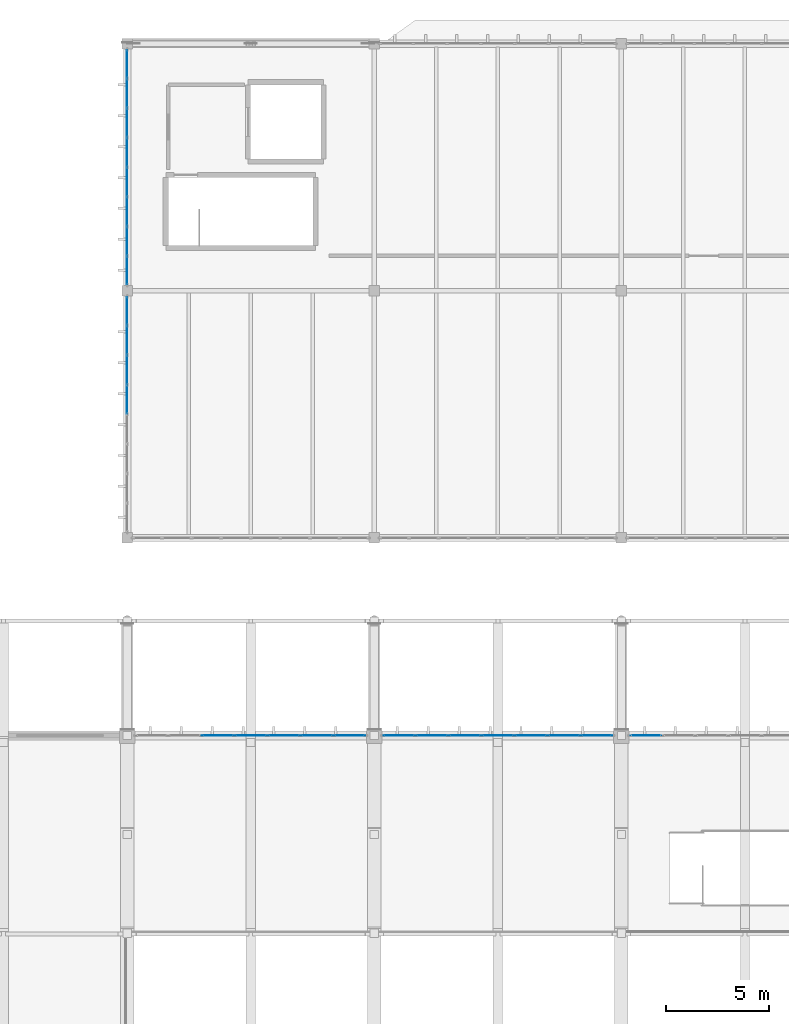
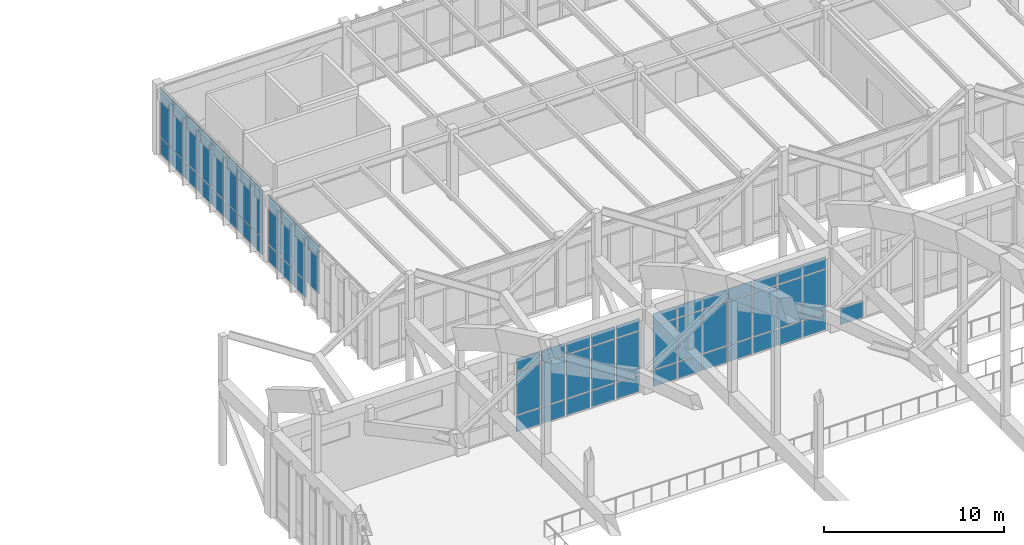
# One storey, part 194 of 236: 72 plates, 5 elements without a shape of their own.
"""IFC4 building model written with IfcOpenShell, lengths in metres."""

import ifcopenshell
import ifcopenshell.guid

model = None  # the IFC model being written
_history = None  # IfcOwnerHistory: only IFC2X3 demands one
_inside = {}  # id of a spatial element -> (the spatial element, [elements in it])
_under = {}  # id of a project, library or spatial element -> (it, [spatial elements below it])
_declared = {}  # id of a project -> (the project, [libraries it declares])
_typed = {}  # id of a type object -> (the type object, [elements of that type])
_made_of = {}  # id of a material, layer set ... -> (it, [elements and type objects made of it])


def new_model(schema):
    """Start an empty IFC model of exactly this schema.

    Asked for "IFC4X3", IfcOpenShell would pick the latest addendum, in which some entities
    have other attributes; the version numbers below select the first issue.
    IFC2X3 requires an IfcOwnerHistory on every rooted entity: one is made here for all.
    """
    global model, _history
    if schema == "IFC4X3":
        model = ifcopenshell.file(schema_version=(4, 3, 0, 0))
    else:
        model = ifcopenshell.file(schema=schema)
    _inside.clear()
    _under.clear()
    _declared.clear()
    _typed.clear()
    _made_of.clear()
    _history = None
    if model.schema == "IFC2X3":
        org = make("IfcOrganization", Name="unknown")
        user = make(
            "IfcPersonAndOrganization",
            ThePerson=make("IfcPerson", FamilyName="unknown"),
            TheOrganization=org,
        )
        app = make(
            "IfcApplication",
            ApplicationDeveloper=org,
            Version="unknown",
            ApplicationFullName="unknown",
            ApplicationIdentifier="unknown",
        )
        _history = make(
            "IfcOwnerHistory",
            OwningUser=user,
            OwningApplication=app,
            ChangeAction="ADDED",
            CreationDate=0,
        )
    return model


def make(cls, **values):
    """One entity of the class cls with the attributes given. An attribute that is None is left unset."""
    return model.create_entity(
        cls, **{name: value for name, value in values.items() if value is not None}
    )


def rooted(cls, **values):
    """An entity with a GlobalId (a new one), such as an element, a storey or a relation."""
    return make(cls, GlobalId=ifcopenshell.guid.new(), OwnerHistory=_history, **values)


def si_unit(unit_type, name, prefix=None):
    """IfcSIUnit, for example si_unit("LENGTHUNIT", "METRE", prefix="MILLI")."""
    return make("IfcSIUnit", UnitType=unit_type, Prefix=prefix, Name=name)


def assignment(units):
    """IfcUnitAssignment: the units of a project."""
    return None if units is None else make("IfcUnitAssignment", Units=units)


def point(xyz):
    """IfcCartesianPoint."""
    return None if xyz is None else make("IfcCartesianPoint", Coordinates=xyz)


def direction(xyz):
    """IfcDirection."""
    return None if xyz is None else make("IfcDirection", DirectionRatios=xyz)


def frame(location, z_axis=None, x_axis=None):
    """IfcAxis2Placement3D, a coordinate frame: its origin and axes. An axis left out is left unset."""
    return make(
        "IfcAxis2Placement3D",
        Location=point(location),
        Axis=direction(z_axis),
        RefDirection=direction(x_axis),
    )


def frame_2d(location, x_axis=None):
    """IfcAxis2Placement2D, a coordinate frame in the plane: its origin and x axis."""
    return make(
        "IfcAxis2Placement2D", Location=point(location), RefDirection=direction(x_axis)
    )


def origin():
    """The frame at (0, 0, 0) with its axes left unset."""
    return frame((0.0, 0.0, 0.0))


def origin_2d():
    """The frame at (0, 0) in the plane with its x axis left unset."""
    return frame_2d((0.0, 0.0))


def place(relative_to, where):
    """IfcLocalPlacement: puts the frame where relative to a parent placement (None: the world)."""
    return make(
        "IfcLocalPlacement", PlacementRelTo=relative_to, RelativePlacement=where
    )


def context(
    kind, dimensions, precision=None, world=None, true_north=None, identifier=None
):
    """IfcGeometricRepresentationContext, for example the 3D "Model" context."""
    return make(
        "IfcGeometricRepresentationContext",
        ContextIdentifier=identifier,
        ContextType=kind,
        CoordinateSpaceDimension=dimensions,
        Precision=precision,
        WorldCoordinateSystem=world,
        TrueNorth=true_north,
    )


def subcontext(parent, identifier, kind, view, scale=None):
    """IfcGeometricRepresentationSubContext, for example "Body" below "Model"."""
    return make(
        "IfcGeometricRepresentationSubContext",
        ContextIdentifier=identifier,
        ContextType=kind,
        ParentContext=parent,
        TargetScale=scale,
        TargetView=view,
    )


def project(units=None, contexts=None):
    """IfcProject with its units and contexts."""
    return rooted(
        "IfcProject",
        Name="project",
        RepresentationContexts=contexts,
        UnitsInContext=assignment(units),
    )


def spatial(cls, under=None, at=None, **own):
    """A site, building, storey or space (cls), placed at a placement, below another one or the project."""
    s = rooted(cls, ObjectPlacement=at, **own)
    if under is not None:
        _under.setdefault(under.id(), (under, []))[1].append(s)
    return s


def profile(cls, at=None, kind="AREA", **sizes):
    """A parametric profile (cls). Its sizes go by their IFC names, for example OverallWidth=200.0."""
    return make(cls, ProfileType=kind, Position=at, **sizes)


def rectangle(**sizes):
    """IfcRectangleProfileDef."""
    return profile("IfcRectangleProfileDef", **sizes)


def extrude(swept, where, along, depth):
    """IfcExtrudedAreaSolid: the profile swept, set in the frame where, extruded along a direction by depth."""
    return make(
        "IfcExtrudedAreaSolid",
        SweptArea=swept,
        Position=where,
        ExtrudedDirection=direction(along),
        Depth=depth,
    )


def shape(context_of_items, identifier, shape_type, items):
    """IfcShapeRepresentation: the items that make up one representation, for example the "Body"."""
    return make(
        "IfcShapeRepresentation",
        ContextOfItems=context_of_items,
        RepresentationIdentifier=identifier,
        RepresentationType=shape_type,
        Items=items,
    )


def material(Name=None, Category=None):
    """IfcMaterial."""
    return make("IfcMaterial", Name=Name, Category=Category)


def layer(
    of_material, thickness, ventilated=None, Name=None, Category=None, Priority=None
):
    """IfcMaterialLayer: one layer of a wall or slab, of a material (None: an air gap)."""
    return make(
        "IfcMaterialLayer",
        Material=of_material,
        LayerThickness=thickness,
        IsVentilated=ventilated,
        Name=Name,
        Category=Category,
        Priority=Priority,
    )


def layer_set(layers, Name=None):
    """IfcMaterialLayerSet."""
    return make("IfcMaterialLayerSet", MaterialLayers=layers, LayerSetName=Name)


def made_of(thing, what):
    """Note that an element or type object is made of a material, layer set ...; save() writes the relation."""
    if what is not None:
        _made_of.setdefault(what.id(), (what, []))[1].append(thing)
    return thing


def type_object(cls, material=None, **own):
    """A type object (cls), such as IfcWallType, which elements share."""
    return made_of(rooted(cls, **own), material)


def element(
    cls,
    number,
    at=None,
    inside=None,
    cuts=None,
    type_object=None,
    material=None,
    context=None,
    identifier="Body",
    shape_type=None,
    held_by="IfcProductDefinitionShape",
    body=None,
    shapes=None,
    **own,
):
    """One element of the class cls, such as IfcWall. Its Tag is "e" and its number.

    at: its placement. inside: the storey or other place that contains it. cuts: it is an
    opening in that element (IfcRelVoidsElement). A single representation is given by context,
    identifier, shape_type and body (its items); several are given by shapes. held_by: the class
    of the entity that holds the representations. save() writes the other relations.
    """
    e = rooted(cls, Tag="e%d" % number, ObjectPlacement=at, **own)
    if body is not None:
        shapes = [shape(context, identifier, shape_type, body)]
    if shapes is not None:
        e.Representation = make(held_by, Representations=shapes)
    if inside is not None:
        _inside.setdefault(inside.id(), (inside, []))[1].append(e)
    if cuts is not None:
        rooted(
            "IfcRelVoidsElement", RelatingBuildingElement=cuts, RelatedOpeningElement=e
        )
    if type_object is not None:
        _typed.setdefault(type_object.id(), (type_object, []))[1].append(e)
    return made_of(e, material)


def aggregate(whole, parts):
    """IfcRelAggregates: a whole, such as a stair, and the parts it consists of."""
    return rooted("IfcRelAggregates", RelatingObject=whole, RelatedObjects=parts)


def save(model, path):
    """Write the relations noted so far, then the file.

    IfcRelAggregates (storeys below a building ...), IfcRelContainedInSpatialStructure (elements
    in a storey), IfcRelDefinesByType, IfcRelAssociatesMaterial and IfcRelDeclares: one each for
    every whole, place, type object, material and project.
    """
    for whole, parts in _under.values():
        aggregate(whole, parts)
    for where, things in _inside.values():
        rooted(
            "IfcRelContainedInSpatialStructure",
            RelatedElements=things,
            RelatingStructure=where,
        )
    for kind, things in _typed.values():
        rooted("IfcRelDefinesByType", RelatedObjects=things, RelatingType=kind)
    for what, things in _made_of.values():
        rooted("IfcRelAssociatesMaterial", RelatedObjects=things, RelatingMaterial=what)
    for by, libraries in _declared.values():
        rooted("IfcRelDeclares", RelatingContext=by, RelatedDefinitions=libraries)
    model.write(path)


model = new_model("IFC4")

# Units and contexts
model_context = context("Model", 3, precision=1e-05, world=origin(), true_north=direction((0.0, 1.0)))
body_context = subcontext(model_context, "Body", "Model", "MODEL_VIEW")
ifc_project = project(units=[si_unit("LENGTHUNIT", "METRE"), si_unit("AREAUNIT", "SQUARE_METRE"), si_unit("VOLUMEUNIT", "CUBIC_METRE"), si_unit("PLANEANGLEUNIT", "RADIAN"), si_unit("MASSUNIT", "GRAM", prefix="KILO")], contexts=[model_context])

# Site, building, storey
site_placement = place(None, origin())
site = spatial("IfcSite", under=ifc_project, at=site_placement, CompositionType="ELEMENT")
building_placement = place(site_placement, origin())
building = spatial("IfcBuilding", under=site, at=building_placement, Name="Pandanus Reach Market Hall", CompositionType="ELEMENT")
storey_placement = place(building_placement, frame((0.0, 0.0, 5.39990234375)))
storey = spatial("IfcBuildingStorey", under=building, at=storey_placement, Name="L01", CompositionType="ELEMENT", Elevation=5.39990234375)

# Curtain wall, plates
ifc_material_1 = material(Name="Bronze anodised aluminium and low-E glass", Category="aluminium")
ifc_layer_1 = layer(ifc_material_1, 0.159912109375, Name="CW-38")
ifc_layer_set_1 = layer_set([ifc_layer_1], Name="Bronze anodised aluminium and low-E glass")
curtain_wall_type_1 = type_object("IfcCurtainWallType", Name="CW-38", PredefinedType="NOTDEFINED", material=ifc_layer_set_1)
curtain_wall_1_placement = place(storey_placement, origin())
curtain_wall_1 = element("IfcCurtainWall", 1, at=curtain_wall_1_placement, inside=storey, type_object=curtain_wall_type_1, Name="Glazed curtain wall CW-38 CW-0148", PredefinedType="NOTDEFINED")
ifc_material_2 = material(Name="Solar-control double glazing", Category="glass")
ifc_layer_2 = layer(ifc_material_2, 0.028076171875, Name="CW-P1")
ifc_layer_set_2 = layer_set([ifc_layer_2], Name="Solar-control double glazing")
plate_type_1 = type_object("IfcPlateType", Name="CW-P1", PredefinedType="CURTAIN_PANEL", material=ifc_layer_set_2)
plate_1_placement = place(storey_placement, frame((60.0, 102.71875, 1.232421875), z_axis=(0.0, 0.0, 1.0), x_axis=(0.0, 1.0, 0.0)))
plate_1 = element("IfcPlate", 2, at=plate_1_placement, type_object=plate_type_1, Name="CW-38 panel 5.2", PredefinedType="CURTAIN_PANEL", context=body_context, shape_type="SweptSolid", body=[
    extrude(rectangle(XDim=1.37255859375, YDim=0.028076171875, at=origin_2d()), origin(), (0.0, 0.0, 1.0), 2.385009765625),
])
plate_2_placement = place(storey_placement, frame((60.0, 102.71875, 3.6826171875), z_axis=(0.0, 0.0, 1.0), x_axis=(0.0, 1.0, 0.0)))
plate_2 = element("IfcPlate", 3, at=plate_2_placement, type_object=plate_type_1, Name="CW-38 panel 5.3", PredefinedType="CURTAIN_PANEL", context=body_context, shape_type="SweptSolid", body=[
    extrude(rectangle(XDim=1.37255859375, YDim=0.028076171875, at=origin_2d()), origin(), (0.0, 0.0, 1.0), 0.802490234375),
])
plate_3_placement = place(storey_placement, frame((60.0, 104.15625, 0.065185546875), z_axis=(0.0, 0.0, 1.0), x_axis=(0.0, 1.0, 0.0)))
plate_3 = element("IfcPlate", 4, at=plate_3_placement, type_object=plate_type_1, Name="CW-38 panel 6.1", PredefinedType="CURTAIN_PANEL", context=body_context, shape_type="SweptSolid", body=[
    extrude(rectangle(XDim=1.37255859375, YDim=0.028076171875, at=origin_2d()), origin(), (0.0, 0.0, 1.0), 1.1025390625),
])
plate_4_placement = place(storey_placement, frame((60.0, 104.15625, 1.232421875), z_axis=(0.0, 0.0, 1.0), x_axis=(0.0, 1.0, 0.0)))
plate_4 = element("IfcPlate", 5, at=plate_4_placement, type_object=plate_type_1, Name="CW-38 panel 6.2", PredefinedType="CURTAIN_PANEL", context=body_context, shape_type="SweptSolid", body=[
    extrude(rectangle(XDim=1.37255859375, YDim=0.028076171875, at=origin_2d()), origin(), (0.0, 0.0, 1.0), 2.385009765625),
])
plate_5_placement = place(storey_placement, frame((60.0, 104.15625, 3.6826171875), z_axis=(0.0, 0.0, 1.0), x_axis=(0.0, 1.0, 0.0)))
plate_5 = element("IfcPlate", 6, at=plate_5_placement, type_object=plate_type_1, Name="CW-38 panel 6.3", PredefinedType="CURTAIN_PANEL", context=body_context, shape_type="SweptSolid", body=[
    extrude(rectangle(XDim=1.37255859375, YDim=0.028076171875, at=origin_2d()), origin(), (0.0, 0.0, 1.0), 0.802490234375),
])
plate_6_placement = place(storey_placement, frame((60.0, 105.59375, 0.065185546875), z_axis=(0.0, 0.0, 1.0), x_axis=(0.0, 1.0, 0.0)))
plate_6 = element("IfcPlate", 7, at=plate_6_placement, type_object=plate_type_1, Name="CW-38 panel 7.1", PredefinedType="CURTAIN_PANEL", context=body_context, shape_type="SweptSolid", body=[
    extrude(rectangle(XDim=1.37255859375, YDim=0.028076171875, at=origin_2d()), origin(), (0.0, 0.0, 1.0), 1.1025390625),
])
plate_7_placement = place(storey_placement, frame((60.0, 105.59375, 1.232421875), z_axis=(0.0, 0.0, 1.0), x_axis=(0.0, 1.0, 0.0)))
plate_7 = element("IfcPlate", 8, at=plate_7_placement, type_object=plate_type_1, Name="CW-38 panel 7.2", PredefinedType="CURTAIN_PANEL", context=body_context, shape_type="SweptSolid", body=[
    extrude(rectangle(XDim=1.37255859375, YDim=0.028076171875, at=origin_2d()), origin(), (0.0, 0.0, 1.0), 2.385009765625),
])
plate_8_placement = place(storey_placement, frame((60.0, 105.59375, 3.6826171875), z_axis=(0.0, 0.0, 1.0), x_axis=(0.0, 1.0, 0.0)))
plate_8 = element("IfcPlate", 9, at=plate_8_placement, type_object=plate_type_1, Name="CW-38 panel 7.3", PredefinedType="CURTAIN_PANEL", context=body_context, shape_type="SweptSolid", body=[
    extrude(rectangle(XDim=1.37255859375, YDim=0.028076171875, at=origin_2d()), origin(), (0.0, 0.0, 1.0), 0.802490234375),
])
plate_9_placement = place(storey_placement, frame((60.0, 107.014892578125, 0.065185546875), z_axis=(0.0, 0.0, 1.0), x_axis=(0.0, 1.0, 0.0)))
plate_9 = element("IfcPlate", 10, at=plate_9_placement, type_object=plate_type_1, Name="CW-38 panel 8.1", PredefinedType="CURTAIN_PANEL", context=body_context, shape_type="SweptSolid", body=[
    extrude(rectangle(XDim=1.340087890625, YDim=0.028076171875, at=origin_2d()), origin(), (0.0, 0.0, 1.0), 1.1025390625),
])
plate_10_placement = place(storey_placement, frame((60.0, 107.014892578125, 1.232421875), z_axis=(0.0, 0.0, 1.0), x_axis=(0.0, 1.0, 0.0)))
plate_10 = element("IfcPlate", 11, at=plate_10_placement, type_object=plate_type_1, Name="CW-38 panel 8.2", PredefinedType="CURTAIN_PANEL", context=body_context, shape_type="SweptSolid", body=[
    extrude(rectangle(XDim=1.340087890625, YDim=0.028076171875, at=origin_2d()), origin(), (0.0, 0.0, 1.0), 2.385009765625),
])
plate_11_placement = place(storey_placement, frame((60.0, 107.014892578125, 3.6826171875), z_axis=(0.0, 0.0, 1.0), x_axis=(0.0, 1.0, 0.0)))
plate_11 = element("IfcPlate", 12, at=plate_11_placement, type_object=plate_type_1, Name="CW-38 panel 8.3", PredefinedType="CURTAIN_PANEL", context=body_context, shape_type="SweptSolid", body=[
    extrude(rectangle(XDim=1.340087890625, YDim=0.028076171875, at=origin_2d()), origin(), (0.0, 0.0, 1.0), 0.802490234375),
])
aggregate(curtain_wall_1, [plate_1, plate_2, plate_3, plate_4, plate_5, plate_6, plate_7, plate_8, plate_9, plate_10, plate_11])

curtain_wall_2_placement = place(storey_placement, origin())
curtain_wall_2 = element("IfcCurtainWall", 13, at=curtain_wall_2_placement, inside=storey, type_object=curtain_wall_type_1, Name="Glazed curtain wall CW-38 CW-0151", PredefinedType="NOTDEFINED")
plate_12_placement = place(storey_placement, frame((60.0, 108.985107421875, 0.065185546875), z_axis=(0.0, 0.0, 1.0), x_axis=(0.0, 1.0, 0.0)))
plate_12 = element("IfcPlate", 14, at=plate_12_placement, type_object=plate_type_1, Name="CW-38 panel 1.1", PredefinedType="CURTAIN_PANEL", context=body_context, shape_type="SweptSolid", body=[
    extrude(rectangle(XDim=1.340087890625, YDim=0.028076171875, at=origin_2d()), origin(), (0.0, 0.0, 1.0), 1.1025390625),
])
plate_13_placement = place(storey_placement, frame((60.0, 108.985107421875, 1.232421875), z_axis=(0.0, 0.0, 1.0), x_axis=(0.0, 1.0, 0.0)))
plate_13 = element("IfcPlate", 15, at=plate_13_placement, type_object=plate_type_1, Name="CW-38 panel 1.2", PredefinedType="CURTAIN_PANEL", context=body_context, shape_type="SweptSolid", body=[
    extrude(rectangle(XDim=1.340087890625, YDim=0.028076171875, at=origin_2d()), origin(), (0.0, 0.0, 1.0), 2.385009765625),
])
plate_14_placement = place(storey_placement, frame((60.0, 108.985107421875, 3.6826171875), z_axis=(0.0, 0.0, 1.0), x_axis=(0.0, 1.0, 0.0)))
plate_14 = element("IfcPlate", 16, at=plate_14_placement, type_object=plate_type_1, Name="CW-38 panel 1.3", PredefinedType="CURTAIN_PANEL", context=body_context, shape_type="SweptSolid", body=[
    extrude(rectangle(XDim=1.340087890625, YDim=0.028076171875, at=origin_2d()), origin(), (0.0, 0.0, 1.0), 0.802490234375),
])
plate_15_placement = place(storey_placement, frame((60.0, 110.40625, 0.065185546875), z_axis=(0.0, 0.0, 1.0), x_axis=(0.0, 1.0, 0.0)))
plate_15 = element("IfcPlate", 17, at=plate_15_placement, type_object=plate_type_1, Name="CW-38 panel 2.1", PredefinedType="CURTAIN_PANEL", context=body_context, shape_type="SweptSolid", body=[
    extrude(rectangle(XDim=1.37255859375, YDim=0.028076171875, at=origin_2d()), origin(), (0.0, 0.0, 1.0), 1.1025390625),
])
plate_16_placement = place(storey_placement, frame((60.0, 110.40625, 1.232421875), z_axis=(0.0, 0.0, 1.0), x_axis=(0.0, 1.0, 0.0)))
plate_16 = element("IfcPlate", 18, at=plate_16_placement, type_object=plate_type_1, Name="CW-38 panel 2.2", PredefinedType="CURTAIN_PANEL", context=body_context, shape_type="SweptSolid", body=[
    extrude(rectangle(XDim=1.37255859375, YDim=0.028076171875, at=origin_2d()), origin(), (0.0, 0.0, 1.0), 2.385009765625),
])
plate_17_placement = place(storey_placement, frame((60.0, 110.40625, 3.6826171875), z_axis=(0.0, 0.0, 1.0), x_axis=(0.0, 1.0, 0.0)))
plate_17 = element("IfcPlate", 19, at=plate_17_placement, type_object=plate_type_1, Name="CW-38 panel 2.3", PredefinedType="CURTAIN_PANEL", context=body_context, shape_type="SweptSolid", body=[
    extrude(rectangle(XDim=1.37255859375, YDim=0.028076171875, at=origin_2d()), origin(), (0.0, 0.0, 1.0), 0.802490234375),
])
plate_18_placement = place(storey_placement, frame((60.0, 111.84375, 0.065185546875), z_axis=(0.0, 0.0, 1.0), x_axis=(0.0, 1.0, 0.0)))
plate_18 = element("IfcPlate", 20, at=plate_18_placement, type_object=plate_type_1, Name="CW-38 panel 3.1", PredefinedType="CURTAIN_PANEL", context=body_context, shape_type="SweptSolid", body=[
    extrude(rectangle(XDim=1.37255859375, YDim=0.028076171875, at=origin_2d()), origin(), (0.0, 0.0, 1.0), 1.1025390625),
])
plate_19_placement = place(storey_placement, frame((60.0, 111.84375, 1.232421875), z_axis=(0.0, 0.0, 1.0), x_axis=(0.0, 1.0, 0.0)))
plate_19 = element("IfcPlate", 21, at=plate_19_placement, type_object=plate_type_1, Name="CW-38 panel 3.2", PredefinedType="CURTAIN_PANEL", context=body_context, shape_type="SweptSolid", body=[
    extrude(rectangle(XDim=1.37255859375, YDim=0.028076171875, at=origin_2d()), origin(), (0.0, 0.0, 1.0), 2.385009765625),
])
plate_20_placement = place(storey_placement, frame((60.0, 111.84375, 3.6826171875), z_axis=(0.0, 0.0, 1.0), x_axis=(0.0, 1.0, 0.0)))
plate_20 = element("IfcPlate", 22, at=plate_20_placement, type_object=plate_type_1, Name="CW-38 panel 3.3", PredefinedType="CURTAIN_PANEL", context=body_context, shape_type="SweptSolid", body=[
    extrude(rectangle(XDim=1.37255859375, YDim=0.028076171875, at=origin_2d()), origin(), (0.0, 0.0, 1.0), 0.802490234375),
])
plate_21_placement = place(storey_placement, frame((60.0, 113.28125, 0.065185546875), z_axis=(0.0, 0.0, 1.0), x_axis=(0.0, 1.0, 0.0)))
plate_21 = element("IfcPlate", 23, at=plate_21_placement, type_object=plate_type_1, Name="CW-38 panel 4.1", PredefinedType="CURTAIN_PANEL", context=body_context, shape_type="SweptSolid", body=[
    extrude(rectangle(XDim=1.37255859375, YDim=0.028076171875, at=origin_2d()), origin(), (0.0, 0.0, 1.0), 1.1025390625),
])
plate_22_placement = place(storey_placement, frame((60.0, 113.28125, 1.232421875), z_axis=(0.0, 0.0, 1.0), x_axis=(0.0, 1.0, 0.0)))
plate_22 = element("IfcPlate", 24, at=plate_22_placement, type_object=plate_type_1, Name="CW-38 panel 4.2", PredefinedType="CURTAIN_PANEL", context=body_context, shape_type="SweptSolid", body=[
    extrude(rectangle(XDim=1.37255859375, YDim=0.028076171875, at=origin_2d()), origin(), (0.0, 0.0, 1.0), 2.385009765625),
])
plate_23_placement = place(storey_placement, frame((60.0, 113.28125, 3.6826171875), z_axis=(0.0, 0.0, 1.0), x_axis=(0.0, 1.0, 0.0)))
plate_23 = element("IfcPlate", 25, at=plate_23_placement, type_object=plate_type_1, Name="CW-38 panel 4.3", PredefinedType="CURTAIN_PANEL", context=body_context, shape_type="SweptSolid", body=[
    extrude(rectangle(XDim=1.37255859375, YDim=0.028076171875, at=origin_2d()), origin(), (0.0, 0.0, 1.0), 0.802490234375),
])
plate_24_placement = place(storey_placement, frame((60.0, 114.71875, 0.065185546875), z_axis=(0.0, 0.0, 1.0), x_axis=(0.0, 1.0, 0.0)))
plate_24 = element("IfcPlate", 26, at=plate_24_placement, type_object=plate_type_1, Name="CW-38 panel 5.1", PredefinedType="CURTAIN_PANEL", context=body_context, shape_type="SweptSolid", body=[
    extrude(rectangle(XDim=1.37255859375, YDim=0.028076171875, at=origin_2d()), origin(), (0.0, 0.0, 1.0), 1.1025390625),
])
plate_25_placement = place(storey_placement, frame((60.0, 114.71875, 1.232421875), z_axis=(0.0, 0.0, 1.0), x_axis=(0.0, 1.0, 0.0)))
plate_25 = element("IfcPlate", 27, at=plate_25_placement, type_object=plate_type_1, Name="CW-38 panel 5.2", PredefinedType="CURTAIN_PANEL", context=body_context, shape_type="SweptSolid", body=[
    extrude(rectangle(XDim=1.37255859375, YDim=0.028076171875, at=origin_2d()), origin(), (0.0, 0.0, 1.0), 2.385009765625),
])
plate_26_placement = place(storey_placement, frame((60.0, 114.71875, 3.6826171875), z_axis=(0.0, 0.0, 1.0), x_axis=(0.0, 1.0, 0.0)))
plate_26 = element("IfcPlate", 28, at=plate_26_placement, type_object=plate_type_1, Name="CW-38 panel 5.3", PredefinedType="CURTAIN_PANEL", context=body_context, shape_type="SweptSolid", body=[
    extrude(rectangle(XDim=1.37255859375, YDim=0.028076171875, at=origin_2d()), origin(), (0.0, 0.0, 1.0), 0.802490234375),
])
plate_27_placement = place(storey_placement, frame((60.0, 116.15625, 0.065185546875), z_axis=(0.0, 0.0, 1.0), x_axis=(0.0, 1.0, 0.0)))
plate_27 = element("IfcPlate", 29, at=plate_27_placement, type_object=plate_type_1, Name="CW-38 panel 6.1", PredefinedType="CURTAIN_PANEL", context=body_context, shape_type="SweptSolid", body=[
    extrude(rectangle(XDim=1.37255859375, YDim=0.028076171875, at=origin_2d()), origin(), (0.0, 0.0, 1.0), 1.1025390625),
])
plate_28_placement = place(storey_placement, frame((60.0, 116.15625, 1.232421875), z_axis=(0.0, 0.0, 1.0), x_axis=(0.0, 1.0, 0.0)))
plate_28 = element("IfcPlate", 30, at=plate_28_placement, type_object=plate_type_1, Name="CW-38 panel 6.2", PredefinedType="CURTAIN_PANEL", context=body_context, shape_type="SweptSolid", body=[
    extrude(rectangle(XDim=1.37255859375, YDim=0.028076171875, at=origin_2d()), origin(), (0.0, 0.0, 1.0), 2.385009765625),
])
plate_29_placement = place(storey_placement, frame((60.0, 116.15625, 3.6826171875), z_axis=(0.0, 0.0, 1.0), x_axis=(0.0, 1.0, 0.0)))
plate_29 = element("IfcPlate", 31, at=plate_29_placement, type_object=plate_type_1, Name="CW-38 panel 6.3", PredefinedType="CURTAIN_PANEL", context=body_context, shape_type="SweptSolid", body=[
    extrude(rectangle(XDim=1.37255859375, YDim=0.028076171875, at=origin_2d()), origin(), (0.0, 0.0, 1.0), 0.802490234375),
])
plate_30_placement = place(storey_placement, frame((60.0, 117.59375, 0.065185546875), z_axis=(0.0, 0.0, 1.0), x_axis=(0.0, 1.0, 0.0)))
plate_30 = element("IfcPlate", 32, at=plate_30_placement, type_object=plate_type_1, Name="CW-38 panel 7.1", PredefinedType="CURTAIN_PANEL", context=body_context, shape_type="SweptSolid", body=[
    extrude(rectangle(XDim=1.37255859375, YDim=0.028076171875, at=origin_2d()), origin(), (0.0, 0.0, 1.0), 1.1025390625),
])
plate_31_placement = place(storey_placement, frame((60.0, 117.59375, 1.232421875), z_axis=(0.0, 0.0, 1.0), x_axis=(0.0, 1.0, 0.0)))
plate_31 = element("IfcPlate", 33, at=plate_31_placement, type_object=plate_type_1, Name="CW-38 panel 7.2", PredefinedType="CURTAIN_PANEL", context=body_context, shape_type="SweptSolid", body=[
    extrude(rectangle(XDim=1.37255859375, YDim=0.028076171875, at=origin_2d()), origin(), (0.0, 0.0, 1.0), 2.385009765625),
])
plate_32_placement = place(storey_placement, frame((60.0, 117.59375, 3.6826171875), z_axis=(0.0, 0.0, 1.0), x_axis=(0.0, 1.0, 0.0)))
plate_32 = element("IfcPlate", 34, at=plate_32_placement, type_object=plate_type_1, Name="CW-38 panel 7.3", PredefinedType="CURTAIN_PANEL", context=body_context, shape_type="SweptSolid", body=[
    extrude(rectangle(XDim=1.37255859375, YDim=0.028076171875, at=origin_2d()), origin(), (0.0, 0.0, 1.0), 0.802490234375),
])
plate_33_placement = place(storey_placement, frame((60.0, 119.014892578125, 0.065185546875), z_axis=(0.0, 0.0, 1.0), x_axis=(0.0, 1.0, 0.0)))
plate_33 = element("IfcPlate", 35, at=plate_33_placement, type_object=plate_type_1, Name="CW-38 panel 8.1", PredefinedType="CURTAIN_PANEL", context=body_context, shape_type="SweptSolid", body=[
    extrude(rectangle(XDim=1.340087890625, YDim=0.028076171875, at=origin_2d()), origin(), (0.0, 0.0, 1.0), 1.1025390625),
])
plate_34_placement = place(storey_placement, frame((60.0, 119.014892578125, 1.232421875), z_axis=(0.0, 0.0, 1.0), x_axis=(0.0, 1.0, 0.0)))
plate_34 = element("IfcPlate", 36, at=plate_34_placement, type_object=plate_type_1, Name="CW-38 panel 8.2", PredefinedType="CURTAIN_PANEL", context=body_context, shape_type="SweptSolid", body=[
    extrude(rectangle(XDim=1.340087890625, YDim=0.028076171875, at=origin_2d()), origin(), (0.0, 0.0, 1.0), 2.385009765625),
])
plate_35_placement = place(storey_placement, frame((60.0, 119.014892578125, 3.6826171875), z_axis=(0.0, 0.0, 1.0), x_axis=(0.0, 1.0, 0.0)))
plate_35 = element("IfcPlate", 37, at=plate_35_placement, type_object=plate_type_1, Name="CW-38 panel 8.3", PredefinedType="CURTAIN_PANEL", context=body_context, shape_type="SweptSolid", body=[
    extrude(rectangle(XDim=1.340087890625, YDim=0.028076171875, at=origin_2d()), origin(), (0.0, 0.0, 1.0), 0.802490234375),
])
aggregate(curtain_wall_2, [plate_12, plate_13, plate_14, plate_15, plate_16, plate_17, plate_18, plate_19, plate_20, plate_21, plate_22, plate_23, plate_24, plate_25, plate_26, plate_27, plate_28, plate_29, plate_30, plate_31, plate_32, plate_33, plate_34, plate_35])

ifc_layer_3 = layer(ifc_material_1, 0.199951171875, Name="CW-02")
ifc_layer_set_3 = layer_set([ifc_layer_3], Name="Bronze anodised aluminium and low-E glass")
curtain_wall_type_2 = type_object("IfcCurtainWallType", Name="CW-02", PredefinedType="NOTDEFINED", material=ifc_layer_set_3)
curtain_wall_3_placement = place(storey_placement, origin())
curtain_wall_3 = element("IfcCurtainWall", 38, at=curtain_wall_3_placement, inside=storey, type_object=curtain_wall_type_2, Name="Glazed curtain wall CW-02 CW-0010", PredefinedType="NOTDEFINED")
ifc_material_3 = material(Name="Acoustic laminated solar double glazing", Category="glass")
ifc_layer_4 = layer(ifc_material_3, 0.031982421875, Name="CW-P2")
ifc_layer_set_4 = layer_set([ifc_layer_4], Name="Acoustic laminated solar double glazing")
plate_type_2 = type_object("IfcPlateType", Name="CW-P2", PredefinedType="CURTAIN_PANEL", material=ifc_layer_set_4)
plate_36_placement = place(storey_placement, frame((64.392822265625, 86.39990234375, 0.0751953125), z_axis=(0.0, 0.0, 1.0), x_axis=(1.0, 0.0, 0.0)))
plate_36 = element("IfcPlate", 39, at=plate_36_placement, type_object=plate_type_2, Name="CW-02 panel 3.1", PredefinedType="CURTAIN_PANEL", context=body_context, shape_type="SweptSolid", body=[
    extrude(rectangle(XDim=1.5322265625, YDim=0.031982421875, at=origin_2d()), origin(), (0.0, 0.0, 1.0), 1.08740234375),
])
plate_37_placement = place(storey_placement, frame((64.392822265625, 86.39990234375, 1.23779296875), z_axis=(0.0, 0.0, 1.0), x_axis=(1.0, 0.0, 0.0)))
plate_37 = element("IfcPlate", 40, at=plate_37_placement, type_object=plate_type_2, Name="CW-02 panel 3.2", PredefinedType="CURTAIN_PANEL", context=body_context, shape_type="SweptSolid", body=[
    extrude(rectangle(XDim=1.5322265625, YDim=0.031982421875, at=origin_2d()), origin(), (0.0, 0.0, 1.0), 2.925048828125),
])
plate_38_placement = place(storey_placement, frame((64.392822265625, 86.39990234375, 4.237548828125), z_axis=(0.0, 0.0, 1.0), x_axis=(1.0, 0.0, 0.0)))
plate_38 = element("IfcPlate", 41, at=plate_38_placement, type_object=plate_type_2, Name="CW-02 panel 3.3", PredefinedType="CURTAIN_PANEL", context=body_context, shape_type="SweptSolid", body=[
    extrude(rectangle(XDim=1.5322265625, YDim=0.031982421875, at=origin_2d()), origin(), (0.0, 0.0, 1.0), 0.78759765625),
])
plate_39_placement = place(storey_placement, frame((66.0, 86.39990234375, 0.0751953125), z_axis=(0.0, 0.0, 1.0), x_axis=(1.0, 0.0, 0.0)))
plate_39 = element("IfcPlate", 42, at=plate_39_placement, type_object=plate_type_2, Name="CW-02 panel 4.1", PredefinedType="CURTAIN_PANEL", context=body_context, shape_type="SweptSolid", body=[
    extrude(rectangle(XDim=1.5322265625, YDim=0.031982421875, at=origin_2d()), origin(), (0.0, 0.0, 1.0), 1.08740234375),
])
plate_40_placement = place(storey_placement, frame((66.0, 86.39990234375, 1.23779296875), z_axis=(0.0, 0.0, 1.0), x_axis=(1.0, 0.0, 0.0)))
plate_40 = element("IfcPlate", 43, at=plate_40_placement, type_object=plate_type_2, Name="CW-02 panel 4.2", PredefinedType="CURTAIN_PANEL", context=body_context, shape_type="SweptSolid", body=[
    extrude(rectangle(XDim=1.5322265625, YDim=0.031982421875, at=origin_2d()), origin(), (0.0, 0.0, 1.0), 2.925048828125),
])
plate_41_placement = place(storey_placement, frame((66.0, 86.39990234375, 4.237548828125), z_axis=(0.0, 0.0, 1.0), x_axis=(1.0, 0.0, 0.0)))
plate_41 = element("IfcPlate", 44, at=plate_41_placement, type_object=plate_type_2, Name="CW-02 panel 4.3", PredefinedType="CURTAIN_PANEL", context=body_context, shape_type="SweptSolid", body=[
    extrude(rectangle(XDim=1.5322265625, YDim=0.031982421875, at=origin_2d()), origin(), (0.0, 0.0, 1.0), 0.78759765625),
])
plate_42_placement = place(storey_placement, frame((67.607177734375, 86.39990234375, 0.0751953125), z_axis=(0.0, 0.0, 1.0), x_axis=(1.0, 0.0, 0.0)))
plate_42 = element("IfcPlate", 45, at=plate_42_placement, type_object=plate_type_2, Name="CW-02 panel 5.1", PredefinedType="CURTAIN_PANEL", context=body_context, shape_type="SweptSolid", body=[
    extrude(rectangle(XDim=1.5322265625, YDim=0.031982421875, at=origin_2d()), origin(), (0.0, 0.0, 1.0), 1.08740234375),
])
plate_43_placement = place(storey_placement, frame((67.607177734375, 86.39990234375, 1.23779296875), z_axis=(0.0, 0.0, 1.0), x_axis=(1.0, 0.0, 0.0)))
plate_43 = element("IfcPlate", 46, at=plate_43_placement, type_object=plate_type_2, Name="CW-02 panel 5.2", PredefinedType="CURTAIN_PANEL", context=body_context, shape_type="SweptSolid", body=[
    extrude(rectangle(XDim=1.5322265625, YDim=0.031982421875, at=origin_2d()), origin(), (0.0, 0.0, 1.0), 2.925048828125),
])
plate_44_placement = place(storey_placement, frame((67.607177734375, 86.39990234375, 4.237548828125), z_axis=(0.0, 0.0, 1.0), x_axis=(1.0, 0.0, 0.0)))
plate_44 = element("IfcPlate", 47, at=plate_44_placement, type_object=plate_type_2, Name="CW-02 panel 5.3", PredefinedType="CURTAIN_PANEL", context=body_context, shape_type="SweptSolid", body=[
    extrude(rectangle(XDim=1.5322265625, YDim=0.031982421875, at=origin_2d()), origin(), (0.0, 0.0, 1.0), 0.78759765625),
])
plate_45_placement = place(storey_placement, frame((69.21435546875, 86.39990234375, 0.0751953125), z_axis=(0.0, 0.0, 1.0), x_axis=(1.0, 0.0, 0.0)))
plate_45 = element("IfcPlate", 48, at=plate_45_placement, type_object=plate_type_2, Name="CW-02 panel 6.1", PredefinedType="CURTAIN_PANEL", context=body_context, shape_type="SweptSolid", body=[
    extrude(rectangle(XDim=1.5322265625, YDim=0.031982421875, at=origin_2d()), origin(), (0.0, 0.0, 1.0), 1.08740234375),
])
plate_46_placement = place(storey_placement, frame((69.21435546875, 86.39990234375, 1.23779296875), z_axis=(0.0, 0.0, 1.0), x_axis=(1.0, 0.0, 0.0)))
plate_46 = element("IfcPlate", 49, at=plate_46_placement, type_object=plate_type_2, Name="CW-02 panel 6.2", PredefinedType="CURTAIN_PANEL", context=body_context, shape_type="SweptSolid", body=[
    extrude(rectangle(XDim=1.5322265625, YDim=0.031982421875, at=origin_2d()), origin(), (0.0, 0.0, 1.0), 2.925048828125),
])
plate_47_placement = place(storey_placement, frame((69.21435546875, 86.39990234375, 4.237548828125), z_axis=(0.0, 0.0, 1.0), x_axis=(1.0, 0.0, 0.0)))
plate_47 = element("IfcPlate", 50, at=plate_47_placement, type_object=plate_type_2, Name="CW-02 panel 6.3", PredefinedType="CURTAIN_PANEL", context=body_context, shape_type="SweptSolid", body=[
    extrude(rectangle(XDim=1.5322265625, YDim=0.031982421875, at=origin_2d()), origin(), (0.0, 0.0, 1.0), 0.78759765625),
])
plate_48_placement = place(storey_placement, frame((70.802734375, 86.39990234375, 0.0751953125), z_axis=(0.0, 0.0, 1.0), x_axis=(1.0, 0.0, 0.0)))
plate_48 = element("IfcPlate", 51, at=plate_48_placement, type_object=plate_type_2, Name="CW-02 panel 7.1", PredefinedType="CURTAIN_PANEL", context=body_context, shape_type="SweptSolid", body=[
    extrude(rectangle(XDim=1.49462890625, YDim=0.031982421875, at=origin_2d()), origin(), (0.0, 0.0, 1.0), 1.08740234375),
])
plate_49_placement = place(storey_placement, frame((70.802734375, 86.39990234375, 1.23779296875), z_axis=(0.0, 0.0, 1.0), x_axis=(1.0, 0.0, 0.0)))
plate_49 = element("IfcPlate", 52, at=plate_49_placement, type_object=plate_type_2, Name="CW-02 panel 7.2", PredefinedType="CURTAIN_PANEL", context=body_context, shape_type="SweptSolid", body=[
    extrude(rectangle(XDim=1.49462890625, YDim=0.031982421875, at=origin_2d()), origin(), (0.0, 0.0, 1.0), 2.925048828125),
])
plate_50_placement = place(storey_placement, frame((70.802734375, 86.39990234375, 4.237548828125), z_axis=(0.0, 0.0, 1.0), x_axis=(1.0, 0.0, 0.0)))
plate_50 = element("IfcPlate", 53, at=plate_50_placement, type_object=plate_type_2, Name="CW-02 panel 7.3", PredefinedType="CURTAIN_PANEL", context=body_context, shape_type="SweptSolid", body=[
    extrude(rectangle(XDim=1.49462890625, YDim=0.031982421875, at=origin_2d()), origin(), (0.0, 0.0, 1.0), 0.78759765625),
])
aggregate(curtain_wall_3, [plate_36, plate_37, plate_38, plate_39, plate_40, plate_41, plate_42, plate_43, plate_44, plate_45, plate_46, plate_47, plate_48, plate_49, plate_50])

curtain_wall_4_placement = place(storey_placement, origin())
curtain_wall_4 = element("IfcCurtainWall", 54, at=curtain_wall_4_placement, inside=storey, type_object=curtain_wall_type_2, Name="Glazed curtain wall CW-02 CW-0012", PredefinedType="NOTDEFINED")
plate_51_placement = place(storey_placement, frame((73.197265625, 86.39990234375, 0.0751953125), z_axis=(0.0, 0.0, 1.0), x_axis=(1.0, 0.0, 0.0)))
plate_51 = element("IfcPlate", 55, at=plate_51_placement, type_object=plate_type_2, Name="CW-02 panel 1.1", PredefinedType="CURTAIN_PANEL", context=body_context, shape_type="SweptSolid", body=[
    extrude(rectangle(XDim=1.49462890625, YDim=0.031982421875, at=origin_2d()), origin(), (0.0, 0.0, 1.0), 1.08740234375),
])
plate_52_placement = place(storey_placement, frame((73.197265625, 86.39990234375, 1.23779296875), z_axis=(0.0, 0.0, 1.0), x_axis=(1.0, 0.0, 0.0)))
plate_52 = element("IfcPlate", 56, at=plate_52_placement, type_object=plate_type_2, Name="CW-02 panel 1.2", PredefinedType="CURTAIN_PANEL", context=body_context, shape_type="SweptSolid", body=[
    extrude(rectangle(XDim=1.49462890625, YDim=0.031982421875, at=origin_2d()), origin(), (0.0, 0.0, 1.0), 2.925048828125),
])
plate_53_placement = place(storey_placement, frame((73.197265625, 86.39990234375, 4.237548828125), z_axis=(0.0, 0.0, 1.0), x_axis=(1.0, 0.0, 0.0)))
plate_53 = element("IfcPlate", 57, at=plate_53_placement, type_object=plate_type_2, Name="CW-02 panel 1.3", PredefinedType="CURTAIN_PANEL", context=body_context, shape_type="SweptSolid", body=[
    extrude(rectangle(XDim=1.49462890625, YDim=0.031982421875, at=origin_2d()), origin(), (0.0, 0.0, 1.0), 0.78759765625),
])
plate_54_placement = place(storey_placement, frame((74.78564453125, 86.39990234375, 0.0751953125), z_axis=(0.0, 0.0, 1.0), x_axis=(1.0, 0.0, 0.0)))
plate_54 = element("IfcPlate", 58, at=plate_54_placement, type_object=plate_type_2, Name="CW-02 panel 2.1", PredefinedType="CURTAIN_PANEL", context=body_context, shape_type="SweptSolid", body=[
    extrude(rectangle(XDim=1.5322265625, YDim=0.031982421875, at=origin_2d()), origin(), (0.0, 0.0, 1.0), 1.08740234375),
])
plate_55_placement = place(storey_placement, frame((74.78564453125, 86.39990234375, 1.23779296875), z_axis=(0.0, 0.0, 1.0), x_axis=(1.0, 0.0, 0.0)))
plate_55 = element("IfcPlate", 59, at=plate_55_placement, type_object=plate_type_2, Name="CW-02 panel 2.2", PredefinedType="CURTAIN_PANEL", context=body_context, shape_type="SweptSolid", body=[
    extrude(rectangle(XDim=1.5322265625, YDim=0.031982421875, at=origin_2d()), origin(), (0.0, 0.0, 1.0), 2.925048828125),
])
plate_56_placement = place(storey_placement, frame((74.78564453125, 86.39990234375, 4.237548828125), z_axis=(0.0, 0.0, 1.0), x_axis=(1.0, 0.0, 0.0)))
plate_56 = element("IfcPlate", 60, at=plate_56_placement, type_object=plate_type_2, Name="CW-02 panel 2.3", PredefinedType="CURTAIN_PANEL", context=body_context, shape_type="SweptSolid", body=[
    extrude(rectangle(XDim=1.5322265625, YDim=0.031982421875, at=origin_2d()), origin(), (0.0, 0.0, 1.0), 0.78759765625),
])
plate_57_placement = place(storey_placement, frame((76.392822265625, 86.39990234375, 0.0751953125), z_axis=(0.0, 0.0, 1.0), x_axis=(1.0, 0.0, 0.0)))
plate_57 = element("IfcPlate", 61, at=plate_57_placement, type_object=plate_type_2, Name="CW-02 panel 3.1", PredefinedType="CURTAIN_PANEL", context=body_context, shape_type="SweptSolid", body=[
    extrude(rectangle(XDim=1.5322265625, YDim=0.031982421875, at=origin_2d()), origin(), (0.0, 0.0, 1.0), 1.08740234375),
])
plate_58_placement = place(storey_placement, frame((76.392822265625, 86.39990234375, 1.23779296875), z_axis=(0.0, 0.0, 1.0), x_axis=(1.0, 0.0, 0.0)))
plate_58 = element("IfcPlate", 62, at=plate_58_placement, type_object=plate_type_2, Name="CW-02 panel 3.2", PredefinedType="CURTAIN_PANEL", context=body_context, shape_type="SweptSolid", body=[
    extrude(rectangle(XDim=1.5322265625, YDim=0.031982421875, at=origin_2d()), origin(), (0.0, 0.0, 1.0), 2.925048828125),
])
plate_59_placement = place(storey_placement, frame((76.392822265625, 86.39990234375, 4.237548828125), z_axis=(0.0, 0.0, 1.0), x_axis=(1.0, 0.0, 0.0)))
plate_59 = element("IfcPlate", 63, at=plate_59_placement, type_object=plate_type_2, Name="CW-02 panel 3.3", PredefinedType="CURTAIN_PANEL", context=body_context, shape_type="SweptSolid", body=[
    extrude(rectangle(XDim=1.5322265625, YDim=0.031982421875, at=origin_2d()), origin(), (0.0, 0.0, 1.0), 0.78759765625),
])
plate_60_placement = place(storey_placement, frame((78.0, 86.39990234375, 0.0751953125), z_axis=(0.0, 0.0, 1.0), x_axis=(1.0, 0.0, 0.0)))
plate_60 = element("IfcPlate", 64, at=plate_60_placement, type_object=plate_type_2, Name="CW-02 panel 4.1", PredefinedType="CURTAIN_PANEL", context=body_context, shape_type="SweptSolid", body=[
    extrude(rectangle(XDim=1.5322265625, YDim=0.031982421875, at=origin_2d()), origin(), (0.0, 0.0, 1.0), 1.08740234375),
])
plate_61_placement = place(storey_placement, frame((78.0, 86.39990234375, 1.23779296875), z_axis=(0.0, 0.0, 1.0), x_axis=(1.0, 0.0, 0.0)))
plate_61 = element("IfcPlate", 65, at=plate_61_placement, type_object=plate_type_2, Name="CW-02 panel 4.2", PredefinedType="CURTAIN_PANEL", context=body_context, shape_type="SweptSolid", body=[
    extrude(rectangle(XDim=1.5322265625, YDim=0.031982421875, at=origin_2d()), origin(), (0.0, 0.0, 1.0), 2.925048828125),
])
plate_62_placement = place(storey_placement, frame((78.0, 86.39990234375, 4.237548828125), z_axis=(0.0, 0.0, 1.0), x_axis=(1.0, 0.0, 0.0)))
plate_62 = element("IfcPlate", 66, at=plate_62_placement, type_object=plate_type_2, Name="CW-02 panel 4.3", PredefinedType="CURTAIN_PANEL", context=body_context, shape_type="SweptSolid", body=[
    extrude(rectangle(XDim=1.5322265625, YDim=0.031982421875, at=origin_2d()), origin(), (0.0, 0.0, 1.0), 0.78759765625),
])
plate_63_placement = place(storey_placement, frame((79.607177734375, 86.39990234375, 0.0751953125), z_axis=(0.0, 0.0, 1.0), x_axis=(1.0, 0.0, 0.0)))
plate_63 = element("IfcPlate", 67, at=plate_63_placement, type_object=plate_type_2, Name="CW-02 panel 5.1", PredefinedType="CURTAIN_PANEL", context=body_context, shape_type="SweptSolid", body=[
    extrude(rectangle(XDim=1.5322265625, YDim=0.031982421875, at=origin_2d()), origin(), (0.0, 0.0, 1.0), 1.08740234375),
])
plate_64_placement = place(storey_placement, frame((79.607177734375, 86.39990234375, 1.23779296875), z_axis=(0.0, 0.0, 1.0), x_axis=(1.0, 0.0, 0.0)))
plate_64 = element("IfcPlate", 68, at=plate_64_placement, type_object=plate_type_2, Name="CW-02 panel 5.2", PredefinedType="CURTAIN_PANEL", context=body_context, shape_type="SweptSolid", body=[
    extrude(rectangle(XDim=1.5322265625, YDim=0.031982421875, at=origin_2d()), origin(), (0.0, 0.0, 1.0), 2.925048828125),
])
plate_65_placement = place(storey_placement, frame((79.607177734375, 86.39990234375, 4.237548828125), z_axis=(0.0, 0.0, 1.0), x_axis=(1.0, 0.0, 0.0)))
plate_65 = element("IfcPlate", 69, at=plate_65_placement, type_object=plate_type_2, Name="CW-02 panel 5.3", PredefinedType="CURTAIN_PANEL", context=body_context, shape_type="SweptSolid", body=[
    extrude(rectangle(XDim=1.5322265625, YDim=0.031982421875, at=origin_2d()), origin(), (0.0, 0.0, 1.0), 0.78759765625),
])
plate_66_placement = place(storey_placement, frame((81.21435546875, 86.39990234375, 0.0751953125), z_axis=(0.0, 0.0, 1.0), x_axis=(1.0, 0.0, 0.0)))
plate_66 = element("IfcPlate", 70, at=plate_66_placement, type_object=plate_type_2, Name="CW-02 panel 6.1", PredefinedType="CURTAIN_PANEL", context=body_context, shape_type="SweptSolid", body=[
    extrude(rectangle(XDim=1.5322265625, YDim=0.031982421875, at=origin_2d()), origin(), (0.0, 0.0, 1.0), 1.08740234375),
])
plate_67_placement = place(storey_placement, frame((81.21435546875, 86.39990234375, 1.23779296875), z_axis=(0.0, 0.0, 1.0), x_axis=(1.0, 0.0, 0.0)))
plate_67 = element("IfcPlate", 71, at=plate_67_placement, type_object=plate_type_2, Name="CW-02 panel 6.2", PredefinedType="CURTAIN_PANEL", context=body_context, shape_type="SweptSolid", body=[
    extrude(rectangle(XDim=1.5322265625, YDim=0.031982421875, at=origin_2d()), origin(), (0.0, 0.0, 1.0), 2.925048828125),
])
plate_68_placement = place(storey_placement, frame((81.21435546875, 86.39990234375, 4.237548828125), z_axis=(0.0, 0.0, 1.0), x_axis=(1.0, 0.0, 0.0)))
plate_68 = element("IfcPlate", 72, at=plate_68_placement, type_object=plate_type_2, Name="CW-02 panel 6.3", PredefinedType="CURTAIN_PANEL", context=body_context, shape_type="SweptSolid", body=[
    extrude(rectangle(XDim=1.5322265625, YDim=0.031982421875, at=origin_2d()), origin(), (0.0, 0.0, 1.0), 0.78759765625),
])
plate_69_placement = place(storey_placement, frame((82.802734375, 86.39990234375, 0.0751953125), z_axis=(0.0, 0.0, 1.0), x_axis=(1.0, 0.0, 0.0)))
plate_69 = element("IfcPlate", 73, at=plate_69_placement, type_object=plate_type_2, Name="CW-02 panel 7.1", PredefinedType="CURTAIN_PANEL", context=body_context, shape_type="SweptSolid", body=[
    extrude(rectangle(XDim=1.49462890625, YDim=0.031982421875, at=origin_2d()), origin(), (0.0, 0.0, 1.0), 1.08740234375),
])
plate_70_placement = place(storey_placement, frame((82.802734375, 86.39990234375, 1.23779296875), z_axis=(0.0, 0.0, 1.0), x_axis=(1.0, 0.0, 0.0)))
plate_70 = element("IfcPlate", 74, at=plate_70_placement, type_object=plate_type_2, Name="CW-02 panel 7.2", PredefinedType="CURTAIN_PANEL", context=body_context, shape_type="SweptSolid", body=[
    extrude(rectangle(XDim=1.49462890625, YDim=0.031982421875, at=origin_2d()), origin(), (0.0, 0.0, 1.0), 2.925048828125),
])
plate_71_placement = place(storey_placement, frame((82.802734375, 86.39990234375, 4.237548828125), z_axis=(0.0, 0.0, 1.0), x_axis=(1.0, 0.0, 0.0)))
plate_71 = element("IfcPlate", 75, at=plate_71_placement, type_object=plate_type_2, Name="CW-02 panel 7.3", PredefinedType="CURTAIN_PANEL", context=body_context, shape_type="SweptSolid", body=[
    extrude(rectangle(XDim=1.49462890625, YDim=0.031982421875, at=origin_2d()), origin(), (0.0, 0.0, 1.0), 0.78759765625),
])
aggregate(curtain_wall_4, [plate_51, plate_52, plate_53, plate_54, plate_55, plate_56, plate_57, plate_58, plate_59, plate_60, plate_61, plate_62, plate_63, plate_64, plate_65, plate_66, plate_67, plate_68, plate_69, plate_70, plate_71])

# Curtain wall, plate
curtain_wall_5_placement = place(storey_placement, origin())
curtain_wall_5 = element("IfcCurtainWall", 76, at=curtain_wall_5_placement, inside=storey, type_object=curtain_wall_type_2, Name="Glazed curtain wall CW-02 CW-0013", PredefinedType="NOTDEFINED")
plate_72_placement = place(storey_placement, frame((85.197265625, 86.39990234375, 0.0751953125), z_axis=(0.0, 0.0, 1.0), x_axis=(1.0, 0.0, 0.0)))
plate_72 = element("IfcPlate", 77, at=plate_72_placement, type_object=plate_type_2, Name="CW-02 panel 1.1", PredefinedType="CURTAIN_PANEL", context=body_context, shape_type="SweptSolid", body=[
    extrude(rectangle(XDim=1.49462890625, YDim=0.031982421875, at=origin_2d()), origin(), (0.0, 0.0, 1.0), 1.08740234375),
])
aggregate(curtain_wall_5, [plate_72])

save(model, "model.ifc")
